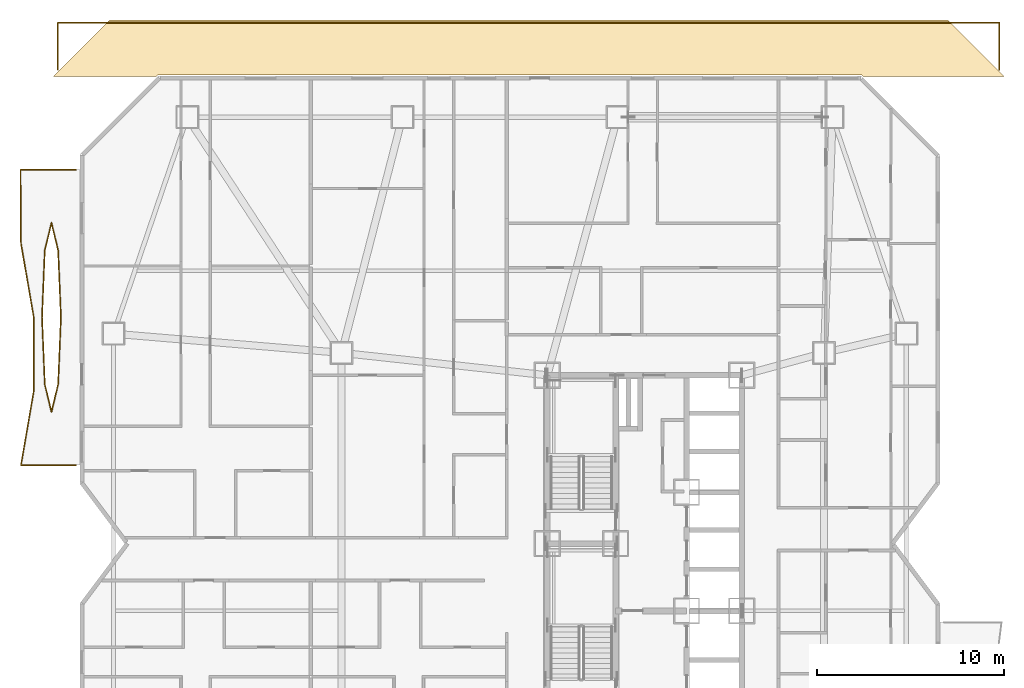
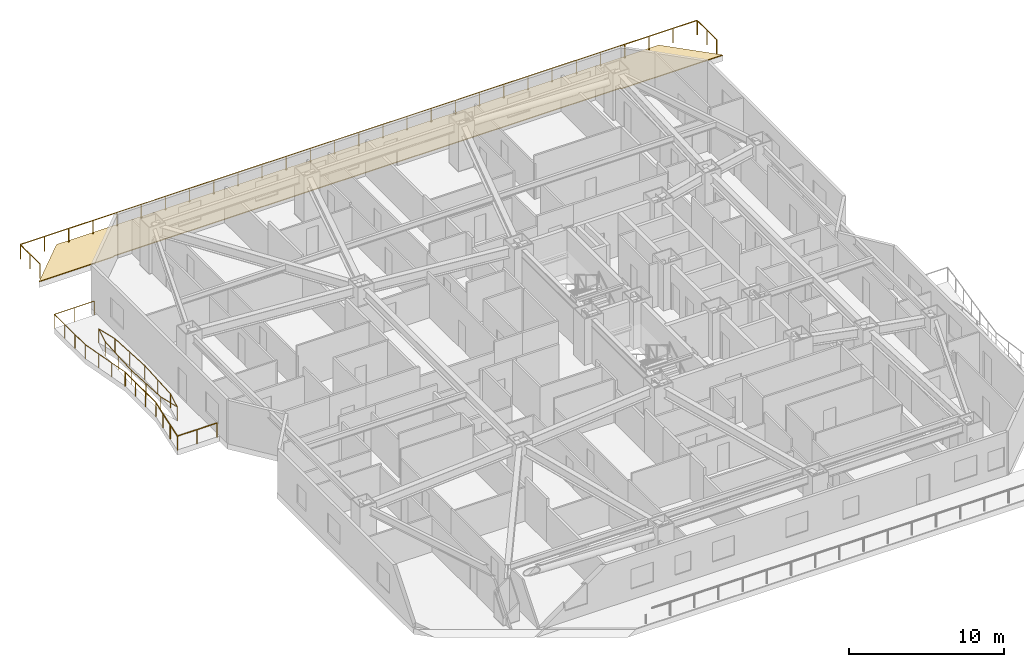
# One storey, part 18 of 18: 5 railings, 1 covering.
"""IFC4 building model written with IfcOpenShell, lengths in metres."""

from ifc_helpers import new_model, si_unit, direction, frame, origin, origin_2d, place, context, subcontext, project, spatial, polyline, circle, outline, extrude, material, layer, layer_set, type_object, element, save


model = new_model("IFC4")

# Units and contexts
model_context = context("Model", 3, precision=1e-05, world=origin(), true_north=direction((0.0, 1.0)))
body_context = subcontext(model_context, "Body", "Model", "MODEL_VIEW")
ifc_project = project(units=[si_unit("LENGTHUNIT", "METRE"), si_unit("AREAUNIT", "SQUARE_METRE"), si_unit("VOLUMEUNIT", "CUBIC_METRE"), si_unit("PLANEANGLEUNIT", "RADIAN"), si_unit("MASSUNIT", "GRAM", prefix="KILO")], contexts=[model_context])

# Site, building, storey
site_placement = place(None, origin())
site = spatial("IfcSite", under=ifc_project, at=site_placement, CompositionType="ELEMENT")
building_placement = place(site_placement, origin())
building = spatial("IfcBuilding", under=site, at=building_placement, Name="Khamvora Tower", CompositionType="ELEMENT")
storey_placement = place(building_placement, frame((0.0, 0.0, 33.300048828125)))
storey = spatial("IfcBuildingStorey", under=building, at=storey_placement, Name="L07", CompositionType="ELEMENT", Elevation=33.300048828125)

# Covering
ifc_material_1 = material(Name="Insulated Elastomeric Roof Waterproofing System", Category="membrane")
ifc_layer = layer(ifc_material_1, 0.0849609375)
ifc_layer_set = layer_set([ifc_layer], Name="Insulated Elastomeric Roof Waterproofing System")
covering_type = type_object("IfcCoveringType", Name="COV-ROOF-MEM", PredefinedType="ROOFING", material=ifc_layer_set)
covering_placement = place(storey_placement, origin())
element("IfcCovering", 1, at=covering_placement, inside=storey, type_object=covering_type, Name="L07 terrace waterproofing paving 2", PredefinedType="ROOFING", context=body_context, shape_type="SweptSolid", body=[
    extrude(outline(polyline([(5.60009765625, 56.0), (50.39990234375, 56.0), (53.419921875, 52.97998046875), (45.905029296875, 52.97998046875), (45.842041015625, 53.0419921875), (45.837890625, 53.0458984375), (45.8330078125, 53.050048828125), (45.827880859375, 53.052978515625), (45.822998046875, 53.054931640625), (45.81689453125, 53.056884765625), (45.81201171875, 53.05908203125), (45.805908203125, 53.06005859375), (45.800048828125, 53.06005859375), (8.199951171875, 53.06005859375), (8.194091796875, 53.06005859375), (8.18798828125, 53.05908203125), (8.18310546875, 53.056884765625), (8.177001953125, 53.054931640625), (8.172119140625, 53.052978515625), (8.1669921875, 53.050048828125), (8.162109375, 53.0458984375), (8.157958984375, 53.0419921875), (8.094970703125, 52.97998046875), (2.580078125, 52.97998046875), (5.60009765625, 56.0)])), origin(), (0.0, 0.0, 1.0), 0.06494140625),
])

# Railings
ifc_material_2 = material(Name="Stainless Steel 316 and Laminated Glass", Category="steel")
railing_type_1 = type_object("IfcRailingType", Name="RAL-GAL-1120", PredefinedType="GUARDRAIL", material=ifc_material_2)
railing_1_placement = place(storey_placement, frame((3.800048828125, 32.199951171875, 0.0)))
element("IfcRailing", 2, at=railing_1_placement, inside=storey, type_object=railing_type_1, Name="L07 lens gallery south perimeter guardrail WL2", PredefinedType="GUARDRAIL", context=body_context, shape_type="SweptSolid", body=[
    extrude(circle(Radius=0.02392578125, at=origin_2d()), frame((0.0, 0.0, 1.09619140625), z_axis=(-1.0, 0.0, 0.0), x_axis=(0.0, -1.0, 0.0)), (0.0, 0.0, 1.0), 2.947021484375),
    extrude(circle(Radius=0.02392578125, at=origin_2d()), frame((-2.947021484375, 0.0, 1.09619140625), z_axis=(0.170114955113, 0.985424224406, 0.0), x_axis=(-0.985424224406, 0.170114955113, 0.0)), (0.0, 0.0, 1.0), 4.00830078125),
    extrude(circle(Radius=0.02392578125, at=origin_2d()), frame((-2.26513671875, 3.949951171875, 1.09619140625), z_axis=(0.000247218781, 0.999999969441, 0.0), x_axis=(-0.999999969441, 0.000247218781, 0.0)), (0.0, 0.0, 1.0), 3.9501953125),
    extrude(circle(Radius=0.02099609375, at=origin_2d()), origin(), (0.0, 0.0, 1.0), 1.072021484375),
    extrude(circle(Radius=0.02099609375, at=origin_2d()), frame((-1.4736328125, 0.0, 0.0)), (0.0, 0.0, 1.0), 1.072021484375),
    extrude(circle(Radius=0.02099609375, at=origin_2d()), frame((-2.947021484375, 0.0, 0.0)), (0.0, 0.0, 1.0), 1.072021484375),
    extrude(circle(Radius=0.02099609375, at=origin_2d()), frame((-2.7197265625, 1.316650390625, 0.0)), (0.0, 0.0, 1.0), 1.072021484375),
    extrude(circle(Radius=0.02099609375, at=origin_2d()), frame((-2.492431640625, 2.63330078125, 0.0)), (0.0, 0.0, 1.0), 1.072021484375),
    extrude(circle(Radius=0.02099609375, at=origin_2d()), frame((-2.26513671875, 3.949951171875, 0.0)), (0.0, 0.0, 1.0), 1.072021484375),
    extrude(circle(Radius=0.02099609375, at=origin_2d()), frame((-2.264892578125, 5.2666015625, 0.0)), (0.0, 0.0, 1.0), 1.072021484375),
    extrude(circle(Radius=0.02099609375, at=origin_2d()), frame((-2.264404296875, 6.58349609375, 0.0)), (0.0, 0.0, 1.0), 1.072021484375),
    extrude(circle(Radius=0.02099609375, at=origin_2d()), frame((-2.26416015625, 7.900146484375, 0.0)), (0.0, 0.0, 1.0), 1.072021484375),
])
railing_2_placement = place(storey_placement, frame((1.535888671875, 40.10009765625, 0.0)))
element("IfcRailing", 3, at=railing_2_placement, inside=storey, type_object=railing_type_1, Name="L07 lens gallery north perimeter guardrail WL2", PredefinedType="GUARDRAIL", context=body_context, shape_type="SweptSolid", body=[
    extrude(circle(Radius=0.02392578125, at=origin_2d()), frame((0.0, 0.0, 1.09619140625), z_axis=(-0.170351520394, 0.985383356618, 0.0), x_axis=(-0.985383356618, -0.170351520394, 0.0)), (0.0, 0.0, 1.0), 4.008544921875),
    extrude(circle(Radius=0.02392578125, at=origin_2d()), frame((-0.682861328125, 3.949951171875, 1.09619140625), z_axis=(-0.006860583949, 0.999976465917, 0.0), x_axis=(-0.999976465917, -0.006860583949, 0.0)), (0.0, 0.0, 1.0), 3.949951171875),
    extrude(circle(Radius=0.02392578125, at=origin_2d()), frame((-0.7099609375, 7.89990234375, 1.09619140625), z_axis=(1.0, 0.0, 0.0), x_axis=(0.0, 1.0, 0.0)), (0.0, 0.0, 1.0), 2.97412109375),
    extrude(circle(Radius=0.02099609375, at=origin_2d()), origin(), (0.0, 0.0, 1.0), 1.072021484375),
    extrude(circle(Radius=0.02099609375, at=origin_2d()), frame((-0.2275390625, 1.316650390625, 0.0)), (0.0, 0.0, 1.0), 1.072021484375),
    extrude(circle(Radius=0.02099609375, at=origin_2d()), frame((-0.455322265625, 2.63330078125, 0.0)), (0.0, 0.0, 1.0), 1.072021484375),
    extrude(circle(Radius=0.02099609375, at=origin_2d()), frame((-0.682861328125, 3.949951171875, 0.0)), (0.0, 0.0, 1.0), 1.072021484375),
    extrude(circle(Radius=0.02099609375, at=origin_2d()), frame((-0.69189453125, 5.2666015625, 0.0)), (0.0, 0.0, 1.0), 1.072021484375),
    extrude(circle(Radius=0.02099609375, at=origin_2d()), frame((-0.700927734375, 6.583251953125, 0.0)), (0.0, 0.0, 1.0), 1.072021484375),
    extrude(circle(Radius=0.02099609375, at=origin_2d()), frame((-0.7099609375, 7.89990234375, 0.0)), (0.0, 0.0, 1.0), 1.072021484375),
    extrude(circle(Radius=0.02099609375, at=origin_2d()), frame((0.777099609375, 7.89990234375, 0.0)), (0.0, 0.0, 1.0), 1.072021484375),
    extrude(circle(Radius=0.02099609375, at=origin_2d()), frame((2.26416015625, 7.89990234375, 0.0)), (0.0, 0.0, 1.0), 1.072021484375),
])
railing_3_placement = place(storey_placement, frame((2.989013671875, 40.10009765625, 0.0)))
element("IfcRailing", 4, at=railing_3_placement, inside=storey, type_object=railing_type_1, Name="L07 lens gallery void guardrail WL2A", PredefinedType="GUARDRAIL", context=body_context, shape_type="SweptSolid", body=[
    extrude(circle(Radius=0.02392578125, at=origin_2d()), frame((0.0, 0.0, 1.09619140625), z_axis=(-0.041349567233, 0.999144740911, 0.0), x_axis=(-0.999144740911, -0.041349567233, 0.0)), (0.0, 0.0, 1.0), 3.578125),
    extrude(circle(Radius=0.02392578125, at=origin_2d()), frame((-0.14794921875, 3.574951171875, 1.09619140625), z_axis=(-0.233700305622, 0.972308678945, 0.0), x_axis=(-0.972308678945, -0.233700305622, 0.0)), (0.0, 0.0, 1.0), 1.523193359375),
    extrude(circle(Radius=0.02392578125, at=origin_2d()), frame((-0.50390625, 5.055908203125, 1.09619140625), z_axis=(-0.233851831104, -0.972272246384, 0.0), x_axis=(0.972272246384, -0.233851831104, 0.0)), (0.0, 0.0, 1.0), 1.523193359375),
    extrude(circle(Radius=0.02392578125, at=origin_2d()), frame((-0.860107421875, 3.574951171875, 1.09619140625), z_axis=(-0.041349567233, -0.999144740911, 0.0), x_axis=(0.999144740911, -0.041349567233, 0.0)), (0.0, 0.0, 1.0), 3.578125),
    extrude(circle(Radius=0.02099609375, at=origin_2d()), origin(), (0.0, 0.0, 1.0), 1.072021484375),
    extrude(circle(Radius=0.02099609375, at=origin_2d()), frame((-0.073974609375, 1.78759765625, 0.0)), (0.0, 0.0, 1.0), 1.072021484375),
    extrude(circle(Radius=0.02099609375, at=origin_2d()), frame((-0.14794921875, 3.574951171875, 0.0)), (0.0, 0.0, 1.0), 1.072021484375),
    extrude(circle(Radius=0.02099609375, at=origin_2d()), frame((-0.50390625, 5.055908203125, 0.0)), (0.0, 0.0, 1.0), 1.072021484375),
    extrude(circle(Radius=0.02099609375, at=origin_2d()), frame((-0.860107421875, 3.574951171875, 0.0)), (0.0, 0.0, 1.0), 1.072021484375),
    extrude(circle(Radius=0.02099609375, at=origin_2d()), frame((-0.93408203125, 1.78759765625, 0.0)), (0.0, 0.0, 1.0), 1.072021484375),
    extrude(circle(Radius=0.02099609375, at=origin_2d()), frame((-1.008056640625, 0.0, 0.0)), (0.0, 0.0, 1.0), 1.072021484375),
])
railing_4_placement = place(storey_placement, frame((1.98095703125, 40.10009765625, 0.0)))
element("IfcRailing", 5, at=railing_4_placement, inside=storey, type_object=railing_type_1, Name="L07 lens gallery void guardrail WL2B", PredefinedType="GUARDRAIL", context=body_context, shape_type="SweptSolid", body=[
    extrude(circle(Radius=0.02392578125, at=origin_2d()), frame((0.0, 0.0, 1.09619140625), z_axis=(0.041346748408, -0.999144857564, 0.0), x_axis=(0.999144857564, 0.041346748408, 0.0)), (0.0, 0.0, 1.0), 3.578369140625),
    extrude(circle(Radius=0.02392578125, at=origin_2d()), frame((0.14794921875, -3.5751953125, 1.09619140625), z_axis=(0.233851831104, -0.972272246384, 0.0), x_axis=(0.972272246384, 0.233851831104, 0.0)), (0.0, 0.0, 1.0), 1.523193359375),
    extrude(circle(Radius=0.02392578125, at=origin_2d()), frame((0.504150390625, -5.05615234375, 1.09619140625), z_axis=(0.233700305622, 0.972308678945, 0.0), x_axis=(-0.972308678945, 0.233700305622, 0.0)), (0.0, 0.0, 1.0), 1.523193359375),
    extrude(circle(Radius=0.02392578125, at=origin_2d()), frame((0.860107421875, -3.5751953125, 1.09619140625), z_axis=(0.041346748408, 0.999144857564, 0.0), x_axis=(-0.999144857564, 0.041346748408, 0.0)), (0.0, 0.0, 1.0), 3.578369140625),
    extrude(circle(Radius=0.02099609375, at=origin_2d()), origin(), (0.0, 0.0, 1.0), 1.072021484375),
    extrude(circle(Radius=0.02099609375, at=origin_2d()), frame((0.073974609375, -1.78759765625, 0.0)), (0.0, 0.0, 1.0), 1.072021484375),
    extrude(circle(Radius=0.02099609375, at=origin_2d()), frame((0.14794921875, -3.5751953125, 0.0)), (0.0, 0.0, 1.0), 1.072021484375),
    extrude(circle(Radius=0.02099609375, at=origin_2d()), frame((0.504150390625, -5.05615234375, 0.0)), (0.0, 0.0, 1.0), 1.072021484375),
    extrude(circle(Radius=0.02099609375, at=origin_2d()), frame((0.860107421875, -3.5751953125, 0.0)), (0.0, 0.0, 1.0), 1.072021484375),
    extrude(circle(Radius=0.02099609375, at=origin_2d()), frame((0.93408203125, -1.78759765625, 0.0)), (0.0, 0.0, 1.0), 1.072021484375),
    extrude(circle(Radius=0.02099609375, at=origin_2d()), frame((1.008056640625, 0.0, 0.0)), (0.0, 0.0, 1.0), 1.072021484375),
])
ifc_material_3 = material(Name="Laminated Structural Safety Glass and Stainless Steel", Category="steel")
railing_type_2 = type_object("IfcRailingType", Name="RAL-POOL-1150", PredefinedType="BALUSTRADE", material=ifc_material_3)
railing_5_placement = place(storey_placement, frame((2.830078125, 53.330078125, 0.0)))
element("IfcRailing", 6, at=railing_5_placement, inside=storey, type_object=railing_type_2, Name="L07 stepped roof terrace balustrade 2", PredefinedType="BALUSTRADE", context=body_context, shape_type="SweptSolid", body=[
    extrude(circle(Radius=0.02392578125, at=origin_2d()), frame((0.0, 0.0, 1.1259765625), z_axis=(0.0, 1.0, 0.0), x_axis=(-1.0, 0.0, 0.0)), (0.0, 0.0, 1.0), 2.52001953125),
    extrude(circle(Radius=0.02392578125, at=origin_2d()), frame((0.0, 2.52001953125, 1.1259765625), z_axis=(1.0, 0.0, 0.0), x_axis=(0.0, 1.0, 0.0)), (0.0, 0.0, 1.0), 50.33984375),
    extrude(circle(Radius=0.02392578125, at=origin_2d()), frame((50.33984375, 2.52001953125, 1.1259765625), z_axis=(0.0, -1.0, 0.0), x_axis=(1.0, 0.0, 0.0)), (0.0, 0.0, 1.0), 2.52001953125),
    extrude(circle(Radius=0.02099609375, at=origin_2d()), origin(), (0.0, 0.0, 1.0), 1.101806640625),
    extrude(circle(Radius=0.02099609375, at=origin_2d()), frame((0.0, 1.260009765625, 0.0)), (0.0, 0.0, 1.0), 1.101806640625),
    extrude(circle(Radius=0.02099609375, at=origin_2d()), frame((0.0, 2.52001953125, 0.0)), (0.0, 0.0, 1.0), 1.101806640625),
    extrude(circle(Radius=0.02099609375, at=origin_2d()), frame((1.7978515625, 2.52001953125, 0.0)), (0.0, 0.0, 1.0), 1.101806640625),
    extrude(circle(Radius=0.02099609375, at=origin_2d()), frame((3.595703125, 2.52001953125, 0.0)), (0.0, 0.0, 1.0), 1.101806640625),
    extrude(circle(Radius=0.02099609375, at=origin_2d()), frame((5.3935546875, 2.52001953125, 0.0)), (0.0, 0.0, 1.0), 1.101806640625),
    extrude(circle(Radius=0.02099609375, at=origin_2d()), frame((7.19140625, 2.52001953125, 0.0)), (0.0, 0.0, 1.0), 1.101806640625),
    extrude(circle(Radius=0.02099609375, at=origin_2d()), frame((8.9892578125, 2.52001953125, 0.0)), (0.0, 0.0, 1.0), 1.101806640625),
    extrude(circle(Radius=0.02099609375, at=origin_2d()), frame((10.787109375, 2.52001953125, 0.0)), (0.0, 0.0, 1.0), 1.101806640625),
    extrude(circle(Radius=0.02099609375, at=origin_2d()), frame((12.5849609375, 2.52001953125, 0.0)), (0.0, 0.0, 1.0), 1.101806640625),
    extrude(circle(Radius=0.02099609375, at=origin_2d()), frame((14.3828125, 2.52001953125, 0.0)), (0.0, 0.0, 1.0), 1.101806640625),
    extrude(circle(Radius=0.02099609375, at=origin_2d()), frame((16.1806640625, 2.52001953125, 0.0)), (0.0, 0.0, 1.0), 1.101806640625),
    extrude(circle(Radius=0.02099609375, at=origin_2d()), frame((17.978515625, 2.52001953125, 0.0)), (0.0, 0.0, 1.0), 1.101806640625),
    extrude(circle(Radius=0.02099609375, at=origin_2d()), frame((19.7763671875, 2.52001953125, 0.0)), (0.0, 0.0, 1.0), 1.101806640625),
    extrude(circle(Radius=0.02099609375, at=origin_2d()), frame((21.57421875, 2.52001953125, 0.0)), (0.0, 0.0, 1.0), 1.101806640625),
    extrude(circle(Radius=0.02099609375, at=origin_2d()), frame((23.3720703125, 2.52001953125, 0.0)), (0.0, 0.0, 1.0), 1.101806640625),
    extrude(circle(Radius=0.02099609375, at=origin_2d()), frame((25.169921875, 2.52001953125, 0.0)), (0.0, 0.0, 1.0), 1.101806640625),
    extrude(circle(Radius=0.02099609375, at=origin_2d()), frame((26.9677734375, 2.52001953125, 0.0)), (0.0, 0.0, 1.0), 1.101806640625),
    extrude(circle(Radius=0.02099609375, at=origin_2d()), frame((28.765625, 2.52001953125, 0.0)), (0.0, 0.0, 1.0), 1.101806640625),
    extrude(circle(Radius=0.02099609375, at=origin_2d()), frame((30.5634765625, 2.52001953125, 0.0)), (0.0, 0.0, 1.0), 1.101806640625),
    extrude(circle(Radius=0.02099609375, at=origin_2d()), frame((32.361328125, 2.52001953125, 0.0)), (0.0, 0.0, 1.0), 1.101806640625),
    extrude(circle(Radius=0.02099609375, at=origin_2d()), frame((34.1591796875, 2.52001953125, 0.0)), (0.0, 0.0, 1.0), 1.101806640625),
    extrude(circle(Radius=0.02099609375, at=origin_2d()), frame((35.95703125, 2.52001953125, 0.0)), (0.0, 0.0, 1.0), 1.101806640625),
    extrude(circle(Radius=0.02099609375, at=origin_2d()), frame((37.7548828125, 2.52001953125, 0.0)), (0.0, 0.0, 1.0), 1.101806640625),
    extrude(circle(Radius=0.02099609375, at=origin_2d()), frame((39.552734375, 2.52001953125, 0.0)), (0.0, 0.0, 1.0), 1.101806640625),
    extrude(circle(Radius=0.02099609375, at=origin_2d()), frame((41.3505859375, 2.52001953125, 0.0)), (0.0, 0.0, 1.0), 1.101806640625),
    extrude(circle(Radius=0.02099609375, at=origin_2d()), frame((43.1484375, 2.52001953125, 0.0)), (0.0, 0.0, 1.0), 1.101806640625),
    extrude(circle(Radius=0.02099609375, at=origin_2d()), frame((44.9462890625, 2.52001953125, 0.0)), (0.0, 0.0, 1.0), 1.101806640625),
    extrude(circle(Radius=0.02099609375, at=origin_2d()), frame((46.744140625, 2.52001953125, 0.0)), (0.0, 0.0, 1.0), 1.101806640625),
    extrude(circle(Radius=0.02099609375, at=origin_2d()), frame((48.5419921875, 2.52001953125, 0.0)), (0.0, 0.0, 1.0), 1.101806640625),
    extrude(circle(Radius=0.02099609375, at=origin_2d()), frame((50.33984375, 2.52001953125, 0.0)), (0.0, 0.0, 1.0), 1.101806640625),
    extrude(circle(Radius=0.02099609375, at=origin_2d()), frame((50.33984375, 1.260009765625, 0.0)), (0.0, 0.0, 1.0), 1.101806640625),
    extrude(circle(Radius=0.02099609375, at=origin_2d()), frame((50.33984375, 0.0, 0.0)), (0.0, 0.0, 1.0), 1.101806640625),
])

save(model, "model.ifc")
